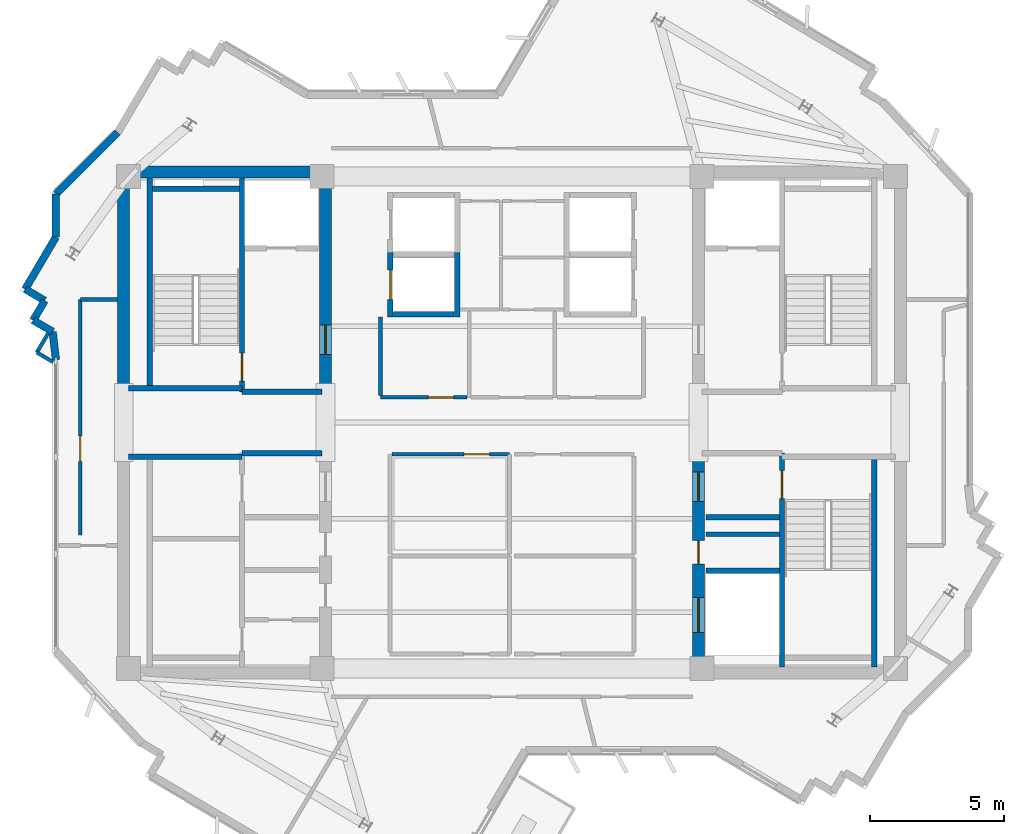
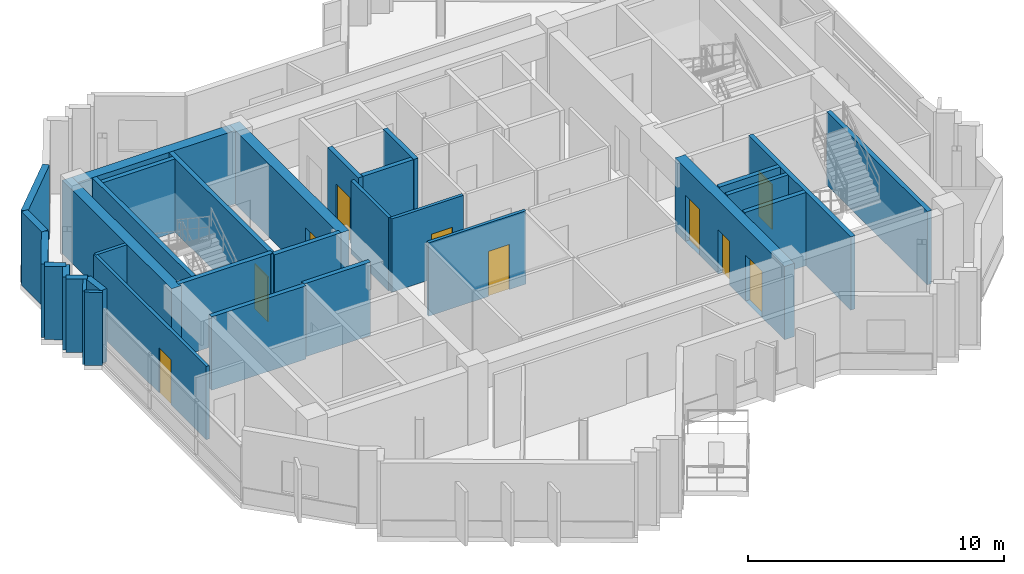
# One storey, part 5 of 10: 33 walls, 10 doors, 10 openings.
"""IFC4 building model written with IfcOpenShell, lengths in metres."""

from ifc_helpers import new_model, si_unit, direction, frame, frame_2d, origin, place, context, subcontext, project, spatial, rectangle, extrude, source, transform, mapped, material, layer, layer_set, type_object, element, fill, save


model = new_model("IFC4")

# Units and contexts
model_context = context("Model", 3, precision=1e-05, world=origin(), true_north=direction((0.0, 1.0)))
body_context = subcontext(model_context, "Body", "Model", "MODEL_VIEW")
ifc_project = project(units=[si_unit("LENGTHUNIT", "METRE"), si_unit("AREAUNIT", "SQUARE_METRE"), si_unit("VOLUMEUNIT", "CUBIC_METRE"), si_unit("PLANEANGLEUNIT", "RADIAN"), si_unit("MASSUNIT", "GRAM", prefix="KILO")], contexts=[model_context])

# Site, building, storey
site_placement = place(None, origin())
site = spatial("IfcSite", under=ifc_project, at=site_placement, CompositionType="ELEMENT")
building_placement = place(site_placement, origin())
building = spatial("IfcBuilding", under=site, at=building_placement, Name="Zahravan Cultural Tower", CompositionType="ELEMENT")
storey_placement = place(building_placement, frame((0.0, 0.0, 349.800048828125)))
storey = spatial("IfcBuildingStorey", under=building, at=storey_placement, Name="L85", CompositionType="ELEMENT", Elevation=349.800048828125)

# Wall, opening, door
ifc_material_1 = material(Name="Concrete C50/60", Category="concrete")
ifc_layer_1 = layer(ifc_material_1, 0.449951171875)
ifc_layer_set_1 = layer_set([ifc_layer_1], Name="Concrete C50/60")
wall_type_1 = type_object("IfcWallType", Name="CW-SHEAR-450-C50", PredefinedType="SHEAR", material=ifc_layer_set_1)
wall_1_placement = place(storey_placement, frame((29.02490234375, 28.050048828125, 0.0), z_axis=(0.0, 0.0, 1.0), x_axis=(0.0, 1.0, 0.0)))
wall_1 = element("IfcWall", 1, at=wall_1_placement, inside=storey, type_object=wall_type_1, Name="L85 Core Shear Wall CW-W-EN-L85", PredefinedType="SHEAR", context=body_context, shape_type="SweptSolid", body=[
    extrude(rectangle(XDim=8.550048828125, YDim=0.449951171875, at=frame_2d((4.27490234375, 0.0))), origin(), (0.0, 0.0, 1.0), 3.5),
])
opening_1_placement = place(wall_1_placement, frame((1.5, 0.0, 0.0)))
opening_1 = element("IfcOpeningElement", 2, at=opening_1_placement, cuts=wall_1, Name="Opening D-L85-06", PredefinedType="OPENING", context=body_context, shape_type="SweptSolid", body=[
    extrude(rectangle(XDim=1.10009765625, YDim=2.199951171875, at=frame_2d((0.550048828125, 1.10009765625))), frame((0.0, 0.23486328125, 0.0), z_axis=(0.0, -1.0, 0.0), x_axis=(1.0, 0.0, 0.0)), (0.0, 0.0, 1.0), 0.469970703125),
])
ifc_material_2 = material(Name="Steel ASTM A572 Grade 50", Category="steel")
door_type_1 = type_object("IfcDoorType", Name="DR-LOBBY-1100", OperationType="NOTDEFINED", PredefinedType="DOOR", material=ifc_material_2)
shared_shape_1 = source(origin(), body_context, "Body", "SweptSolid", [
    extrude(rectangle(XDim=1.10009765625, YDim=2.199951171875, at=frame_2d((0.550048828125, 1.10009765625))), frame((0.0, 0.02490234375, 0.0), z_axis=(0.0, -1.0, 0.0), x_axis=(1.0, 0.0, 0.0)), (0.0, 0.0, 1.0), 0.050048828125),
])
door_1_placement = place(opening_1_placement, origin())
door_1 = element("IfcDoor", 3, at=door_1_placement, inside=storey, type_object=door_type_1, Name="L85 Door D-L85-06", OperationType="SINGLE_SWING_LEFT", OverallHeight=2.199951171875, OverallWidth=1.10009765625, PredefinedType="DOOR", context=body_context, shape_type="MappedRepresentation", body=[
    mapped(shared_shape_1, transform((0.0, 0.0, 0.0), x_axis=(1.0, 0.0, 0.0), y_axis=(0.0, 1.0, 0.0), z_axis=(0.0, 0.0, 1.0), scale=1.0)),
])
fill(opening_1, door_1)

# Wall, openings, doors
wall_2_placement = place(storey_placement, frame((42.97509765625, 17.39990234375, 0.0), z_axis=(0.0, 0.0, 1.0), x_axis=(0.0, 1.0, 0.0)))
wall_2 = element("IfcWall", 4, at=wall_2_placement, inside=storey, type_object=wall_type_1, Name="L85 Core Shear Wall CW-E-WS-L85", PredefinedType="SHEAR", context=body_context, shape_type="SweptSolid", body=[
    extrude(rectangle(XDim=8.550048828125, YDim=0.449951171875, at=frame_2d((4.27490234375, 0.0))), origin(), (0.0, 0.0, 1.0), 3.5),
])
opening_2_placement = place(wall_2_placement, frame((6.64990234375, 0.0, 0.0)))
opening_2 = element("IfcOpeningElement", 5, at=opening_2_placement, cuts=wall_2, Name="Opening D-L85-09", PredefinedType="OPENING", context=body_context, shape_type="SweptSolid", body=[
    extrude(rectangle(XDim=1.10009765625, YDim=2.199951171875, at=frame_2d((0.550048828125, 1.10009765625))), frame((0.0, 0.23486328125, 0.0), z_axis=(0.0, -1.0, 0.0), x_axis=(1.0, 0.0, 0.0)), (0.0, 0.0, 1.0), 0.469970703125),
])
opening_3_placement = place(wall_2_placement, frame((1.75, 0.0, 0.0)))
opening_3 = element("IfcOpeningElement", 6, at=opening_3_placement, cuts=wall_2, Name="Opening LD-L85-03", PredefinedType="OPENING", context=body_context, shape_type="SweptSolid", body=[
    extrude(rectangle(XDim=1.300048828125, YDim=2.199951171875, at=frame_2d((0.64990234375, 1.10009765625))), frame((0.0, 0.23486328125, 0.0), z_axis=(0.0, -1.0, 0.0), x_axis=(1.0, 0.0, 0.0)), (0.0, 0.0, 1.0), 0.469970703125),
])
opening_4_placement = place(wall_2_placement, frame((4.300048828125, 0.0, 0.0)))
opening_4 = element("IfcOpeningElement", 7, at=opening_4_placement, cuts=wall_2, Name="Opening D-L85-13", PredefinedType="OPENING", context=body_context, shape_type="SweptSolid", body=[
    extrude(rectangle(XDim=0.8798828125, YDim=2.10009765625, at=frame_2d((0.43994140625, 1.050048828125))), frame((0.0, 0.23486328125, 0.0), z_axis=(0.0, -1.0, 0.0), x_axis=(1.0, 0.0, 0.0)), (0.0, 0.0, 1.0), 0.469970703125),
])
door_2_placement = place(opening_2_placement, origin())
door_2 = element("IfcDoor", 8, at=door_2_placement, inside=storey, type_object=door_type_1, Name="L85 Door D-L85-09", OperationType="SINGLE_SWING_RIGHT", OverallHeight=2.199951171875, OverallWidth=1.10009765625, PredefinedType="DOOR", context=body_context, shape_type="MappedRepresentation", body=[
    mapped(shared_shape_1, transform((0.0, 0.0, 0.0), x_axis=(1.0, 0.0, 0.0), y_axis=(0.0, 1.0, 0.0), z_axis=(0.0, 0.0, 1.0), scale=1.0)),
])
fill(opening_2, door_2)
door_type_2 = type_object("IfcDoorType", Name="DR-LIFT-1300", OperationType="DOUBLE_DOOR_SLIDING", PredefinedType="DOOR", material=ifc_material_2)
shared_shape_2 = source(origin(), body_context, "Body", "SweptSolid", [
    extrude(rectangle(XDim=1.300048828125, YDim=2.199951171875, at=frame_2d((0.64990234375, 1.10009765625))), frame((0.0, 0.02490234375, 0.0), z_axis=(0.0, -1.0, 0.0), x_axis=(1.0, 0.0, 0.0)), (0.0, 0.0, 1.0), 0.050048828125),
])
door_3_placement = place(opening_3_placement, origin())
door_3 = element("IfcDoor", 9, at=door_3_placement, inside=storey, type_object=door_type_2, Name="L85 Door LD-L85-03", OperationType="DOUBLE_DOOR_SLIDING", OverallHeight=2.199951171875, OverallWidth=1.300048828125, PredefinedType="DOOR", context=body_context, shape_type="MappedRepresentation", body=[
    mapped(shared_shape_2, transform((0.0, 0.0, 0.0), x_axis=(1.0, 0.0, 0.0), y_axis=(0.0, 1.0, 0.0), z_axis=(0.0, 0.0, 1.0), scale=1.0)),
])
fill(opening_3, door_3)
door_type_3 = type_object("IfcDoorType", Name="DR-SVC-880", OperationType="NOTDEFINED", PredefinedType="DOOR", material=ifc_material_2)
shared_shape_3 = source(origin(), body_context, "Body", "SweptSolid", [
    extrude(rectangle(XDim=0.8798828125, YDim=2.10009765625, at=frame_2d((0.43994140625, 1.050048828125))), frame((0.0, 0.02490234375, 0.0), z_axis=(0.0, -1.0, 0.0), x_axis=(1.0, 0.0, 0.0)), (0.0, 0.0, 1.0), 0.050048828125),
])
door_4_placement = place(opening_4_placement, origin())
door_4 = element("IfcDoor", 10, at=door_4_placement, inside=storey, type_object=door_type_3, Name="L85 Door D-L85-13", OperationType="SINGLE_SWING_RIGHT", OverallHeight=2.10009765625, OverallWidth=0.8798828125, PredefinedType="DOOR", context=body_context, shape_type="MappedRepresentation", body=[
    mapped(shared_shape_3, transform((0.0, 0.0, 0.0), x_axis=(1.0, 0.0, 0.0), y_axis=(0.0, 1.0, 0.0), z_axis=(0.0, 0.0, 1.0), scale=1.0)),
])
fill(opening_4, door_4)

# Wall, opening, door
ifc_material_3 = material(Name="Gypsum plasterboard partition")
ifc_layer_2 = layer(ifc_material_3, 0.139892578125)
ifc_layer_set_2 = layer_set([ifc_layer_2], Name="Gypsum plasterboard partition")
wall_type_2 = type_object("IfcWallType", Name="W-PART-140", PredefinedType="PARTITIONING", material=ifc_layer_set_2)
wall_3_placement = place(storey_placement, frame((34.324951171875, 27.93994140625, 0.0), z_axis=(0.0, 0.0, 1.0), x_axis=(-1.0, 0.0, 0.0)))
wall_3 = element("IfcWall", 11, at=wall_3_placement, inside=storey, type_object=wall_type_2, Name="L85 Interior Wall 054", PredefinedType="PARTITIONING", context=body_context, shape_type="SweptSolid", body=[
    extrude(rectangle(XDim=3.244873046875, YDim=0.139892578125, at=frame_2d((1.62255859375, 0.0))), origin(), (0.0, 0.0, 1.0), 3.5),
])
opening_5_placement = place(wall_3_placement, frame((0.5048828125, 0.0, 0.0)))
opening_5 = element("IfcOpeningElement", 12, at=opening_5_placement, cuts=wall_3, Name="Opening D-L85-20", PredefinedType="OPENING", context=body_context, shape_type="SweptSolid", body=[
    extrude(rectangle(XDim=0.949951171875, YDim=2.14990234375, at=frame_2d((0.47509765625, 1.074951171875))), frame((0.0, 0.079833984375, 0.0), z_axis=(0.0, -1.0, 0.0), x_axis=(1.0, 0.0, 0.0)), (0.0, 0.0, 1.0), 0.159912109375),
])
ifc_material_4 = material(Name="Anodised bronze-aluminium mullion", Category="aluminium")
door_type_4 = type_object("IfcDoorType", Name="DR-ROOM-950", OperationType="NOTDEFINED", PredefinedType="DOOR", material=ifc_material_4)
shared_shape_4 = source(origin(), body_context, "Body", "SweptSolid", [
    extrude(rectangle(XDim=0.949951171875, YDim=2.14990234375, at=frame_2d((0.47509765625, 1.074951171875))), frame((0.0, 0.02490234375, 0.0), z_axis=(0.0, -1.0, 0.0), x_axis=(1.0, 0.0, 0.0)), (0.0, 0.0, 1.0), 0.050048828125),
])
door_5_placement = place(opening_5_placement, origin())
door_5 = element("IfcDoor", 13, at=door_5_placement, inside=storey, type_object=door_type_4, Name="L85 Door D-L85-20", OperationType="SINGLE_SWING_LEFT", OverallHeight=2.14990234375, OverallWidth=0.949951171875, PredefinedType="DOOR", context=body_context, shape_type="MappedRepresentation", body=[
    mapped(shared_shape_4, transform((0.0, 0.0, 0.0), x_axis=(1.0, 0.0, 0.0), y_axis=(0.0, 1.0, 0.0), z_axis=(0.0, 0.0, 1.0), scale=1.0)),
])
fill(opening_5, door_5)

wall_4_placement = place(storey_placement, frame((31.514892578125, 25.81005859375, 0.0), z_axis=(0.0, 0.0, 1.0), x_axis=(1.0, 0.0, 0.0)))
wall_4 = element("IfcWall", 14, at=wall_4_placement, inside=storey, type_object=wall_type_2, Name="L85 Interior Wall 066", PredefinedType="PARTITIONING", context=body_context, shape_type="SweptSolid", body=[
    extrude(rectangle(XDim=4.39501953125, YDim=0.139892578125, at=frame_2d((2.197509765625, 0.0))), origin(), (0.0, 0.0, 1.0), 3.5),
])
opening_6_placement = place(wall_4_placement, frame((2.68701171875, 0.0, 0.0)))
opening_6 = element("IfcOpeningElement", 15, at=opening_6_placement, cuts=wall_4, Name="Opening D-L85-15", PredefinedType="OPENING", context=body_context, shape_type="SweptSolid", body=[
    extrude(rectangle(XDim=0.949951171875, YDim=2.14990234375, at=frame_2d((0.47509765625, 1.074951171875))), frame((0.0, 0.079833984375, 0.0), z_axis=(0.0, -1.0, 0.0), x_axis=(1.0, 0.0, 0.0)), (0.0, 0.0, 1.0), 0.159912109375),
])
door_6_placement = place(opening_6_placement, origin())
door_6 = element("IfcDoor", 16, at=door_6_placement, inside=storey, type_object=door_type_4, Name="L85 Door D-L85-15", OperationType="SINGLE_SWING_RIGHT", OverallHeight=2.14990234375, OverallWidth=0.949951171875, PredefinedType="DOOR", context=body_context, shape_type="MappedRepresentation", body=[
    mapped(shared_shape_4, transform((0.0, 0.0, 0.0), x_axis=(1.0, 0.0, 0.0), y_axis=(0.0, 1.0, 0.0), z_axis=(0.0, 0.0, 1.0), scale=1.0)),
])
fill(opening_6, door_6)

wall_5_placement = place(storey_placement, frame((19.8525390625, 31.59765625, 0.0), z_axis=(0.0, 0.0, 1.0), x_axis=(-0.00027740789, -0.999999961522, 0.0)))
wall_5 = element("IfcWall", 17, at=wall_5_placement, inside=storey, type_object=wall_type_2, Name="L85 Interior Wall 083", PredefinedType="PARTITIONING", context=body_context, shape_type="SweptSolid", body=[
    extrude(rectangle(XDim=8.80078125, YDim=0.139892578125, at=frame_2d((4.400390625, 0.0))), origin(), (0.0, 0.0, 1.0), 3.5),
])
opening_7_placement = place(wall_5_placement, frame((5.10302734375, 0.0, 0.0)))
opening_7 = element("IfcOpeningElement", 18, at=opening_7_placement, cuts=wall_5, Name="Opening D-L85-24", PredefinedType="OPENING", context=body_context, shape_type="SweptSolid", body=[
    extrude(rectangle(XDim=0.949951171875, YDim=2.14990234375, at=frame_2d((0.47509765625, 1.074951171875))), frame((0.0, 0.079833984375, 0.0), z_axis=(0.0, -1.0, 0.0), x_axis=(1.0, 0.0, 0.0)), (0.0, 0.0, 1.0), 0.159912109375),
])
door_7_placement = place(opening_7_placement, origin())
door_7 = element("IfcDoor", 19, at=door_7_placement, inside=storey, type_object=door_type_4, Name="L85 Door D-L85-24", OperationType="SINGLE_SWING_LEFT", OverallHeight=2.14990234375, OverallWidth=0.949951171875, PredefinedType="DOOR", context=body_context, shape_type="MappedRepresentation", body=[
    mapped(shared_shape_4, transform((0.0, 0.0, 0.0), x_axis=(1.0, 0.0, 0.0), y_axis=(0.0, 1.0, 0.0), z_axis=(0.0, 0.0, 1.0), scale=1.0)),
])
fill(opening_7, door_7)

ifc_material_5 = material(Name="Concrete C45/55", Category="concrete")
ifc_layer_3 = layer(ifc_material_5, 0.199951171875)
ifc_layer_set_3 = layer_set([ifc_layer_3], Name="Concrete C45/55")
wall_type_3 = type_object("IfcWallType", Name="W-SHAFT-200", PredefinedType="SOLIDWALL", material=ifc_layer_set_3)
wall_6_placement = place(storey_placement, frame((25.89990234375, 28.14990234375, 0.0), z_axis=(0.0, 0.0, 1.0), x_axis=(0.0, 1.0, 0.0)))
wall_6 = element("IfcWall", 20, at=wall_6_placement, inside=storey, type_object=wall_type_3, Name="L85 Interior Wall 006", PredefinedType="SOLIDWALL", context=body_context, shape_type="SweptSolid", body=[
    extrude(rectangle(XDim=8.0, YDim=0.199951171875, at=frame_2d((4.0, 0.0))), origin(), (0.0, 0.0, 1.0), 3.5),
])
opening_8_placement = place(wall_6_placement, frame((0.39990234375, 0.0, 0.0)))
opening_8 = element("IfcOpeningElement", 21, at=opening_8_placement, cuts=wall_6, Name="Opening D-L85-01", PredefinedType="OPENING", context=body_context, shape_type="SweptSolid", body=[
    extrude(rectangle(XDim=1.050048828125, YDim=2.14990234375, at=frame_2d((0.52490234375, 1.074951171875))), frame((0.0, 0.10986328125, 0.0), z_axis=(0.0, -1.0, 0.0), x_axis=(1.0, 0.0, 0.0)), (0.0, 0.0, 1.0), 0.219970703125),
])
door_type_5 = type_object("IfcDoorType", Name="DR-STAIR-1050", OperationType="NOTDEFINED", PredefinedType="DOOR", material=ifc_material_2)
shared_shape_5 = source(origin(), body_context, "Body", "SweptSolid", [
    extrude(rectangle(XDim=1.050048828125, YDim=2.14990234375, at=frame_2d((0.52490234375, 1.074951171875))), frame((0.0, 0.02490234375, 0.0), z_axis=(0.0, -1.0, 0.0), x_axis=(1.0, 0.0, 0.0)), (0.0, 0.0, 1.0), 0.050048828125),
])
door_8_placement = place(opening_8_placement, origin())
door_8 = element("IfcDoor", 22, at=door_8_placement, inside=storey, type_object=door_type_5, Name="L85 Door D-L85-01", OperationType="SINGLE_SWING_RIGHT", OverallHeight=2.14990234375, OverallWidth=1.050048828125, PredefinedType="DOOR", context=body_context, shape_type="MappedRepresentation", body=[
    mapped(shared_shape_5, transform((0.0, 0.0, 0.0), x_axis=(1.0, 0.0, 0.0), y_axis=(0.0, 1.0, 0.0), z_axis=(0.0, 0.0, 1.0), scale=1.0)),
])
fill(opening_8, door_8)

wall_7_placement = place(storey_placement, frame((46.10009765625, 17.85009765625, 0.0), z_axis=(0.0, 0.0, 1.0), x_axis=(0.0, 1.0, 0.0)))
wall_7 = element("IfcWall", 23, at=wall_7_placement, inside=storey, type_object=wall_type_3, Name="L85 Interior Wall 007", PredefinedType="SOLIDWALL", context=body_context, shape_type="SweptSolid", body=[
    extrude(rectangle(XDim=8.0, YDim=0.199951171875, at=frame_2d((4.0, 0.0))), origin(), (0.0, 0.0, 1.0), 3.5),
])
opening_9_placement = place(wall_7_placement, frame((6.300048828125, 0.0, 0.0)))
opening_9 = element("IfcOpeningElement", 24, at=opening_9_placement, cuts=wall_7, Name="Opening D-L85-03", PredefinedType="OPENING", context=body_context, shape_type="SweptSolid", body=[
    extrude(rectangle(XDim=1.050048828125, YDim=2.14990234375, at=frame_2d((0.52490234375, 1.074951171875))), frame((0.0, 0.10986328125, 0.0), z_axis=(0.0, -1.0, 0.0), x_axis=(1.0, 0.0, 0.0)), (0.0, 0.0, 1.0), 0.219970703125),
])
door_9_placement = place(opening_9_placement, origin())
door_9 = element("IfcDoor", 25, at=door_9_placement, inside=storey, type_object=door_type_5, Name="L85 Door D-L85-03", OperationType="SINGLE_SWING_RIGHT", OverallHeight=2.14990234375, OverallWidth=1.050048828125, PredefinedType="DOOR", context=body_context, shape_type="MappedRepresentation", body=[
    mapped(shared_shape_5, transform((0.0, 0.0, 0.0), x_axis=(1.0, 0.0, 0.0), y_axis=(0.0, 1.0, 0.0), z_axis=(0.0, 0.0, 1.0), scale=1.0)),
])
fill(opening_9, door_9)

wall_8_placement = place(storey_placement, frame((31.449951171875, 30.949951171875, 0.0), z_axis=(0.0, 0.0, 1.0), x_axis=(0.0, 1.0, 0.0)))
wall_8 = element("IfcWall", 26, at=wall_8_placement, inside=storey, type_object=wall_type_3, Name="L85 Interior Wall 034", PredefinedType="SOLIDWALL", context=body_context, shape_type="SweptSolid", body=[
    extrude(rectangle(XDim=2.400146484375, YDim=0.199951171875, at=frame_2d((1.2001953125, 0.0))), origin(), (0.0, 0.0, 1.0), 3.5),
])
opening_10_placement = place(wall_8_placement, frame((0.64990234375, 0.0, 0.0)))
opening_10 = element("IfcOpeningElement", 27, at=opening_10_placement, cuts=wall_8, Name="Opening LD-L85-05", PredefinedType="OPENING", context=body_context, shape_type="SweptSolid", body=[
    extrude(rectangle(XDim=1.10009765625, YDim=2.14990234375, at=frame_2d((0.550048828125, 1.074951171875))), frame((0.0, 0.10986328125, 0.0), z_axis=(0.0, -1.0, 0.0), x_axis=(1.0, 0.0, 0.0)), (0.0, 0.0, 1.0), 0.219970703125),
])
door_type_6 = type_object("IfcDoorType", Name="DR-LIFT-1100", OperationType="DOUBLE_DOOR_SLIDING", PredefinedType="DOOR", material=ifc_material_2)
shared_shape_6 = source(origin(), body_context, "Body", "SweptSolid", [
    extrude(rectangle(XDim=1.10009765625, YDim=2.14990234375, at=frame_2d((0.550048828125, 1.074951171875))), frame((0.0, 0.02490234375, 0.0), z_axis=(0.0, -1.0, 0.0), x_axis=(1.0, 0.0, 0.0)), (0.0, 0.0, 1.0), 0.050048828125),
])
door_10_placement = place(opening_10_placement, origin())
door_10 = element("IfcDoor", 28, at=door_10_placement, inside=storey, type_object=door_type_6, Name="L85 Door LD-L85-05", OperationType="DOUBLE_DOOR_SLIDING", OverallHeight=2.14990234375, OverallWidth=1.10009765625, PredefinedType="DOOR", context=body_context, shape_type="MappedRepresentation", body=[
    mapped(shared_shape_6, transform((0.0, 0.0, 0.0), x_axis=(1.0, 0.0, 0.0), y_axis=(0.0, 1.0, 0.0), z_axis=(0.0, 0.0, 1.0), scale=1.0)),
])
fill(opening_10, door_10)

# Walls
shared_shape_7 = source(origin(), body_context, "Body", "SweptSolid", [
    extrude(rectangle(XDim=8.550048828125, YDim=0.449951171875, at=frame_2d((4.27490234375, 0.0))), origin(), (0.0, 0.0, 1.0), 3.5),
])
wall_9_placement = place(storey_placement, frame((21.47509765625, 28.050048828125, 0.0), z_axis=(0.0, 0.0, 1.0), x_axis=(0.0, 1.0, 0.0)))
element("IfcWall", 29, at=wall_9_placement, inside=storey, type_object=wall_type_1, Name="L85 Core Shear Wall CW-W-WN-L85", PredefinedType="SHEAR", context=body_context, shape_type="MappedRepresentation", body=[
    mapped(shared_shape_7, transform((0.0, 0.0, 0.0), x_axis=(1.0, 0.0, 0.0), y_axis=(0.0, 1.0, 0.0), z_axis=(0.0, 0.0, 1.0), scale=1.0)),
])
shared_shape_8 = source(origin(), body_context, "Body", "SweptSolid", [
    extrude(rectangle(XDim=7.10009765625, YDim=0.449951171875, at=frame_2d((3.550048828125, 0.0))), origin(), (0.0, 0.0, 1.0), 3.5),
])
wall_10_placement = place(storey_placement, frame((21.699951171875, 36.375, 0.0), z_axis=(0.0, 0.0, 1.0), x_axis=(1.0, 0.0, 0.0)))
element("IfcWall", 30, at=wall_10_placement, inside=storey, type_object=wall_type_1, Name="L85 Core Shear Wall CW-W-N-L85", PredefinedType="SHEAR", context=body_context, shape_type="MappedRepresentation", body=[
    mapped(shared_shape_8, transform((0.0, 0.0, 0.0), x_axis=(1.0, 0.0, 0.0), y_axis=(0.0, 1.0, 0.0), z_axis=(0.0, 0.0, 1.0), scale=1.0)),
])
ifc_material_6 = material(Name="Precast concrete C40/50", Category="concrete")
ifc_layer_4 = layer(ifc_material_6, 0.280029296875)
ifc_layer_set_4 = layer_set([ifc_layer_4], Name="Precast concrete C40/50")
wall_type_4 = type_object("IfcWallType", Name="EW-TC-280", PredefinedType="SOLIDWALL", material=ifc_layer_set_4)
shared_shape_9 = source(origin(), body_context, "Body", "SweptSolid", [
    extrude(rectangle(XDim=0.85009765625, YDim=0.280029296875, at=frame_2d((0.425048828125, 0.0))), origin(), (0.0, 0.0, 1.0), 3.5),
])
for number, where, z_axis, x_axis, name in (
    (31, (18.820068359375, 30.3935546875, 0.0), (0.0, 0.0, 1.0), (-0.861320788154, 0.508061511919, 0.0), "L85 Exterior Masonry Frame Wall 34"),
    (32, (18.087890625, 30.825439453125, 0.0), (0.0, 0.0, 1.0), (0.508274533332, 0.861195099131, 0.0), "L85 Exterior Masonry Frame Wall 35"),
):
    element("IfcWall", number, at=place(storey_placement, frame(where, z_axis=z_axis, x_axis=x_axis)), inside=storey, type_object=wall_type_4, Name=name, PredefinedType="SOLIDWALL", context=body_context, shape_type="MappedRepresentation", body=[
        mapped(shared_shape_9, transform((0.0, 0.0, 0.0), x_axis=(1.0, 0.0, 0.0), y_axis=(0.0, 1.0, 0.0), z_axis=(0.0, 0.0, 1.0), scale=1.0)),
    ])
shared_shape_10 = source(origin(), body_context, "Body", "SweptSolid", [
    extrude(rectangle(XDim=0.849853515625, YDim=0.280029296875, at=frame_2d((0.4248046875, 0.0))), origin(), (0.0, 0.0, 1.0), 3.5),
])
wall_11_placement = place(storey_placement, frame((18.52001953125, 31.5576171875, 0.0), z_axis=(0.0, 0.0, 1.0), x_axis=(-0.861246626019, 0.508187218622, 0.0)))
element("IfcWall", 33, at=wall_11_placement, inside=storey, type_object=wall_type_4, Name="L85 Exterior Masonry Frame Wall 36", PredefinedType="SOLIDWALL", context=body_context, shape_type="MappedRepresentation", body=[
    mapped(shared_shape_10, transform((0.0, 0.0, 0.0), x_axis=(1.0, 0.0, 0.0), y_axis=(0.0, 1.0, 0.0), z_axis=(0.0, 0.0, 1.0), scale=1.0)),
])
shared_shape_11 = source(origin(), body_context, "Body", "SweptSolid", [
    extrude(rectangle(XDim=1.064697265625, YDim=0.280029296875, at=frame_2d((0.5322265625, 0.0))), origin(), (0.0, 0.0, 1.0), 3.5),
])
wall_12_placement = place(storey_placement, frame((18.93994140625, 29.335693359375, 0.0), z_axis=(0.0, 0.0, 1.0), x_axis=(-0.112595815397, 0.993640871923, 0.0)))
element("IfcWall", 34, at=wall_12_placement, inside=storey, type_object=wall_type_4, Name="L85 Exterior Masonry Frame Wall 33", PredefinedType="SOLIDWALL", context=body_context, shape_type="MappedRepresentation", body=[
    mapped(shared_shape_11, transform((0.0, 0.0, 0.0), x_axis=(1.0, 0.0, 0.0), y_axis=(0.0, 1.0, 0.0), z_axis=(0.0, 0.0, 1.0), scale=1.0)),
])
shared_shape_12 = source(origin(), body_context, "Body", "SweptSolid", [
    extrude(rectangle(XDim=2.266357421875, YDim=0.280029296875, at=frame_2d((1.13330078125, 0.0))), origin(), (0.0, 0.0, 1.0), 3.5),
])
wall_13_placement = place(storey_placement, frame((17.7880859375, 31.989501953125, 0.0), z_axis=(0.0, 0.0, 1.0), x_axis=(0.508224770074, 0.861224467304, 0.0)))
element("IfcWall", 35, at=wall_13_placement, inside=storey, type_object=wall_type_4, Name="L85 Exterior Masonry Frame Wall 37", PredefinedType="SOLIDWALL", context=body_context, shape_type="MappedRepresentation", body=[
    mapped(shared_shape_12, transform((0.0, 0.0, 0.0), x_axis=(1.0, 0.0, 0.0), y_axis=(0.0, 1.0, 0.0), z_axis=(0.0, 0.0, 1.0), scale=1.0)),
])
shared_shape_13 = source(origin(), body_context, "Body", "SweptSolid", [
    extrude(rectangle(XDim=1.6005859375, YDim=0.280029296875, at=frame_2d((0.80029296875, 0.0))), origin(), (0.0, 0.0, 1.0), 3.5),
])
wall_14_placement = place(storey_placement, frame((18.93994140625, 33.94140625, 0.0), z_axis=(0.0, 0.0, 1.0), x_axis=(0.0, 1.0, 0.0)))
element("IfcWall", 36, at=wall_14_placement, inside=storey, type_object=wall_type_4, Name="L85 Exterior Masonry Frame Wall 38", PredefinedType="SOLIDWALL", context=body_context, shape_type="MappedRepresentation", body=[
    mapped(shared_shape_13, transform((0.0, 0.0, 0.0), x_axis=(1.0, 0.0, 0.0), y_axis=(0.0, 1.0, 0.0), z_axis=(0.0, 0.0, 1.0), scale=1.0)),
])
shared_shape_14 = source(origin(), body_context, "Body", "SweptSolid", [
    extrude(rectangle(XDim=3.2607421875, YDim=0.280029296875, at=frame_2d((1.63037109375, 0.0))), origin(), (0.0, 0.0, 1.0), 3.5),
])
wall_15_placement = place(storey_placement, frame((18.93994140625, 35.5419921875, 0.0), z_axis=(0.0, 0.0, 1.0), x_axis=(0.707106781187, 0.707106781187, 0.0)))
element("IfcWall", 37, at=wall_15_placement, inside=storey, type_object=wall_type_4, Name="L85 Exterior Masonry Frame Wall 39", PredefinedType="SOLIDWALL", context=body_context, shape_type="MappedRepresentation", body=[
    mapped(shared_shape_14, transform((0.0, 0.0, 0.0), x_axis=(1.0, 0.0, 0.0), y_axis=(0.0, 1.0, 0.0), z_axis=(0.0, 0.0, 1.0), scale=1.0)),
])
shared_shape_15 = source(origin(), body_context, "Body", "SweptSolid", [
    extrude(rectangle(XDim=7.869873046875, YDim=0.199951171875, at=frame_2d((3.93505859375, 0.0))), origin(), (0.0, 0.0, 1.0), 3.5),
])
for number, where, z_axis, x_axis, name in (
    (38, (22.449951171875, 28.280029296875, 0.0), (0.0, 0.0, 1.0), (0.0, 1.0, 0.0), "L85 Interior Wall 002"),
    (39, (49.550048828125, 17.85009765625, 0.0), (0.0, 0.0, 1.0), (0.0, 1.0, 0.0), "L85 Interior Wall 003"),
):
    element("IfcWall", number, at=place(storey_placement, frame(where, z_axis=z_axis, x_axis=x_axis)), inside=storey, type_object=wall_type_3, Name=name, PredefinedType="SOLIDWALL", context=body_context, shape_type="MappedRepresentation", body=[
        mapped(shared_shape_15, transform((0.0, 0.0, 0.0), x_axis=(1.0, 0.0, 0.0), y_axis=(0.0, 1.0, 0.0), z_axis=(0.0, 0.0, 1.0), scale=1.0)),
    ])
shared_shape_16 = source(origin(), body_context, "Body", "SweptSolid", [
    extrude(rectangle(XDim=4.25, YDim=0.199951171875, at=frame_2d((2.125, 0.0))), origin(), (0.0, 0.0, 1.0), 3.5),
])
for number, where, z_axis, x_axis, name in (
    (40, (21.64990234375, 25.715087890625, 0.0), (0.0, 0.0, 1.0), (1.0, 0.0, 0.0), "L85 Interior Wall 009"),
    (41, (21.64990234375, 28.284912109375, 0.0), (0.0, 0.0, 1.0), (1.0, 0.0, 0.0), "L85 Interior Wall 011"),
):
    element("IfcWall", number, at=place(storey_placement, frame(where, z_axis=z_axis, x_axis=x_axis)), inside=storey, type_object=wall_type_3, Name=name, PredefinedType="SOLIDWALL", context=body_context, shape_type="MappedRepresentation", body=[
        mapped(shared_shape_16, transform((0.0, 0.0, 0.0), x_axis=(1.0, 0.0, 0.0), y_axis=(0.0, 1.0, 0.0), z_axis=(0.0, 0.0, 1.0), scale=1.0)),
    ])
shared_shape_17 = source(origin(), body_context, "Body", "SweptSolid", [
    extrude(rectangle(XDim=3.0, YDim=0.199951171875, at=frame_2d((1.5, 0.0))), origin(), (0.0, 0.0, 1.0), 3.5),
])
for number, where, z_axis, x_axis, name in (
    (42, (25.89990234375, 25.85009765625, 0.0), (0.0, 0.0, 1.0), (1.0, 0.0, 0.0), "L85 Interior Wall 010"),
    (43, (25.89990234375, 28.14990234375, 0.0), (0.0, 0.0, 1.0), (1.0, 0.0, 0.0), "L85 Interior Wall 012"),
):
    element("IfcWall", number, at=place(storey_placement, frame(where, z_axis=z_axis, x_axis=x_axis)), inside=storey, type_object=wall_type_3, Name=name, PredefinedType="SOLIDWALL", context=body_context, shape_type="MappedRepresentation", body=[
        mapped(shared_shape_17, transform((0.0, 0.0, 0.0), x_axis=(1.0, 0.0, 0.0), y_axis=(0.0, 1.0, 0.0), z_axis=(0.0, 0.0, 1.0), scale=1.0)),
    ])
shared_shape_18 = source(origin(), body_context, "Body", "SweptSolid", [
    extrude(rectangle(XDim=3.25, YDim=0.199951171875, at=frame_2d((1.625, 0.0))), origin(), (0.0, 0.0, 1.0), 3.5),
])
wall_16_placement = place(storey_placement, frame((22.550048828125, 35.75, 0.0), z_axis=(0.0, 0.0, 1.0), x_axis=(1.0, 0.0, 0.0)))
element("IfcWall", 44, at=wall_16_placement, inside=storey, type_object=wall_type_3, Name="L85 Interior Wall 017", PredefinedType="SOLIDWALL", context=body_context, shape_type="MappedRepresentation", body=[
    mapped(shared_shape_18, transform((0.0, 0.0, 0.0), x_axis=(1.0, 0.0, 0.0), y_axis=(0.0, 1.0, 0.0), z_axis=(0.0, 0.0, 1.0), scale=1.0)),
])
shared_shape_19 = source(origin(), body_context, "Body", "SweptSolid", [
    extrude(rectangle(XDim=2.75, YDim=0.199951171875, at=frame_2d((1.375, 0.0))), origin(), (0.0, 0.0, 1.0), 3.5),
])
for number, where, z_axis, x_axis, name in (
    (45, (43.25, 23.449951171875, 0.0), (0.0, 0.0, 1.0), (1.0, 0.0, 0.0), "L85 Interior Wall 025"),
    (46, (43.25, 21.449951171875, 0.0), (0.0, 0.0, 1.0), (1.0, 0.0, 0.0), "L85 Interior Wall 026"),
):
    element("IfcWall", number, at=place(storey_placement, frame(where, z_axis=z_axis, x_axis=x_axis)), inside=storey, type_object=wall_type_3, Name=name, PredefinedType="SOLIDWALL", context=body_context, shape_type="MappedRepresentation", body=[
        mapped(shared_shape_19, transform((0.0, 0.0, 0.0), x_axis=(1.0, 0.0, 0.0), y_axis=(0.0, 1.0, 0.0), z_axis=(0.0, 0.0, 1.0), scale=1.0)),
    ])
ifc_layer_5 = layer(ifc_material_3, 0.179931640625)
ifc_layer_set_5 = layer_set([ifc_layer_5], Name="Gypsum plasterboard partition")
wall_type_5 = type_object("IfcWallType", Name="W-COMP-180", PredefinedType="PARTITIONING", material=ifc_layer_set_5)
shared_shape_20 = source(origin(), body_context, "Body", "SweptSolid", [
    extrude(rectangle(XDim=2.75, YDim=0.179931640625, at=frame_2d((1.375, 0.0))), origin(), (0.0, 0.0, 1.0), 3.5),
])
wall_17_placement = place(storey_placement, frame((43.25, 22.820068359375, 0.0), z_axis=(0.0, 0.0, 1.0), x_axis=(1.0, 0.0, 0.0)))
element("IfcWall", 47, at=wall_17_placement, inside=storey, type_object=wall_type_5, Name="L85 Interior Wall 029", PredefinedType="PARTITIONING", context=body_context, shape_type="MappedRepresentation", body=[
    mapped(shared_shape_20, transform((0.0, 0.0, 0.0), x_axis=(1.0, 0.0, 0.0), y_axis=(0.0, 1.0, 0.0), z_axis=(0.0, 0.0, 1.0), scale=1.0)),
])
shared_shape_21 = source(origin(), body_context, "Body", "SweptSolid", [
    extrude(rectangle(XDim=2.400146484375, YDim=0.199951171875, at=frame_2d((1.2001953125, 0.0))), origin(), (0.0, 0.0, 1.0), 3.5),
])
wall_18_placement = place(storey_placement, frame((33.949951171875, 30.949951171875, 0.0), z_axis=(0.0, 0.0, 1.0), x_axis=(0.0, 1.0, 0.0)))
element("IfcWall", 48, at=wall_18_placement, inside=storey, type_object=wall_type_3, Name="L85 Interior Wall 035", PredefinedType="SOLIDWALL", context=body_context, shape_type="MappedRepresentation", body=[
    mapped(shared_shape_21, transform((0.0, 0.0, 0.0), x_axis=(1.0, 0.0, 0.0), y_axis=(0.0, 1.0, 0.0), z_axis=(0.0, 0.0, 1.0), scale=1.0)),
])
shared_shape_22 = source(origin(), body_context, "Body", "SweptSolid", [
    extrude(rectangle(XDim=2.260009765625, YDim=0.199951171875, at=frame_2d((1.1298828125, 0.0))), origin(), (0.0, 0.0, 1.0), 3.5),
])
wall_19_placement = place(storey_placement, frame((31.570068359375, 31.050048828125, 0.0), z_axis=(0.0, 0.0, 1.0), x_axis=(1.0, 0.0, 0.0)))
element("IfcWall", 49, at=wall_19_placement, inside=storey, type_object=wall_type_3, Name="L85 Interior Wall 036", PredefinedType="SOLIDWALL", context=body_context, shape_type="MappedRepresentation", body=[
    mapped(shared_shape_22, transform((0.0, 0.0, 0.0), x_axis=(1.0, 0.0, 0.0), y_axis=(0.0, 1.0, 0.0), z_axis=(0.0, 0.0, 1.0), scale=1.0)),
])
shared_shape_23 = source(origin(), body_context, "Body", "SweptSolid", [
    extrude(rectangle(XDim=2.93505859375, YDim=0.139892578125, at=frame_2d((1.467529296875, 0.0))), origin(), (0.0, 0.0, 1.0), 3.5),
])
wall_20_placement = place(storey_placement, frame((31.080078125, 28.014892578125, 0.0), z_axis=(0.0, 0.0, 1.0), x_axis=(0.0, 1.0, 0.0)))
element("IfcWall", 50, at=wall_20_placement, inside=storey, type_object=wall_type_2, Name="L85 Interior Wall 055", PredefinedType="PARTITIONING", context=body_context, shape_type="MappedRepresentation", body=[
    mapped(shared_shape_23, transform((0.0, 0.0, 0.0), x_axis=(1.0, 0.0, 0.0), y_axis=(0.0, 1.0, 0.0), z_axis=(0.0, 0.0, 1.0), scale=1.0)),
])
shared_shape_24 = source(origin(), body_context, "Body", "SweptSolid", [
    extrude(rectangle(XDim=1.392578125, YDim=0.139892578125, at=frame_2d((0.6962890625, 0.0))), origin(), (0.0, 0.0, 1.0), 3.5),
])
wall_21_placement = place(storey_placement, frame((21.2451171875, 31.599853515625, 0.0), z_axis=(0.0, 0.0, 1.0), x_axis=(-0.999998755213, -0.001577838148, 0.0)))
element("IfcWall", 51, at=wall_21_placement, inside=storey, type_object=wall_type_2, Name="L85 Interior Wall 082", PredefinedType="PARTITIONING", context=body_context, shape_type="MappedRepresentation", body=[
    mapped(shared_shape_24, transform((0.0, 0.0, 0.0), x_axis=(1.0, 0.0, 0.0), y_axis=(0.0, 1.0, 0.0), z_axis=(0.0, 0.0, 1.0), scale=1.0)),
])
shared_shape_25 = source(origin(), body_context, "Body", "SweptSolid", [
    extrude(rectangle(XDim=0.824951171875, YDim=0.139892578125, at=frame_2d((0.41259765625, 0.0))), origin(), (0.0, 0.0, 1.0), 3.5),
])
wall_22_placement = place(storey_placement, frame((18.223876953125, 29.618896484375, 0.0), z_axis=(0.0, 0.0, 1.0), x_axis=(0.507472658058, 0.861667860213, 0.0)))
element("IfcWall", 52, at=wall_22_placement, inside=storey, type_object=wall_type_2, Name="L85 Interior Wall 085", PredefinedType="PARTITIONING", context=body_context, shape_type="MappedRepresentation", body=[
    mapped(shared_shape_25, transform((0.0, 0.0, 0.0), x_axis=(1.0, 0.0, 0.0), y_axis=(0.0, 1.0, 0.0), z_axis=(0.0, 0.0, 1.0), scale=1.0)),
])
shared_shape_26 = source(origin(), body_context, "Body", "SweptSolid", [
    extrude(rectangle(XDim=0.703125, YDim=0.139892578125, at=frame_2d((0.3515625, 0.0))), origin(), (0.0, 0.0, 1.0), 3.5),
])
wall_23_placement = place(storey_placement, frame((18.829345703125, 29.26123046875, 0.0), z_axis=(0.0, 0.0, 1.0), x_axis=(-0.860995636403, 0.508612341666, 0.0)))
element("IfcWall", 53, at=wall_23_placement, inside=storey, type_object=wall_type_2, Name="L85 Interior Wall 084", PredefinedType="PARTITIONING", context=body_context, shape_type="MappedRepresentation", body=[
    mapped(shared_shape_26, transform((0.0, 0.0, 0.0), x_axis=(1.0, 0.0, 0.0), y_axis=(0.0, 1.0, 0.0), z_axis=(0.0, 0.0, 1.0), scale=1.0)),
])

save(model, "model.ifc")
